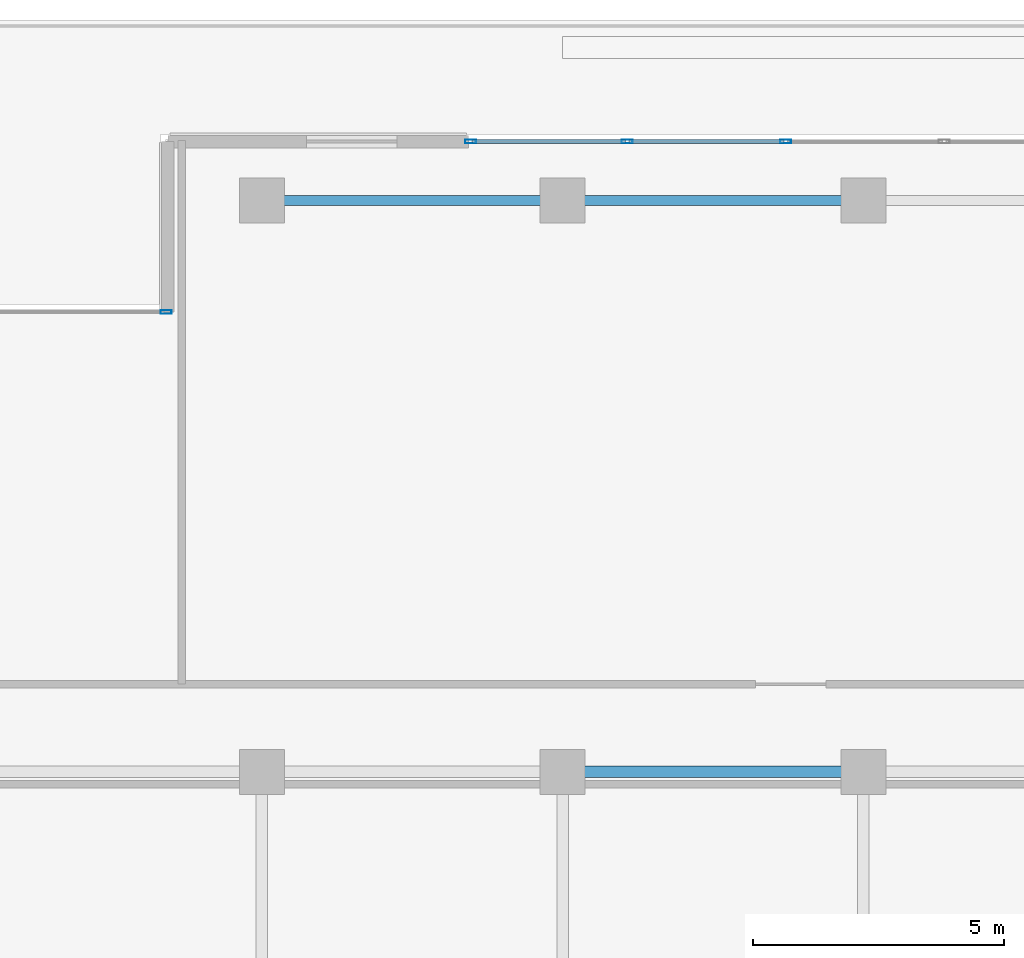
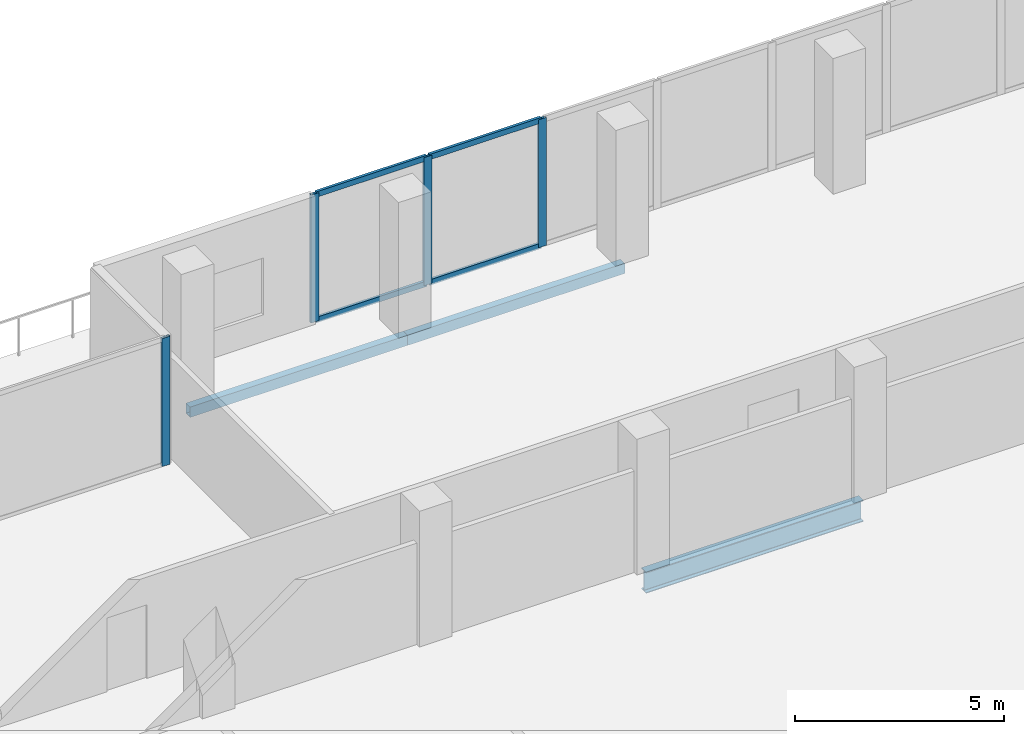
# One storey, part 12 of 30: 8 members, 3 beams, 2 elements without a shape of their own.
"""IFC4 building model written with IfcOpenShell, lengths in metres."""

import ifcopenshell
import ifcopenshell.guid

model = None  # the IFC model being written
_history = None  # IfcOwnerHistory: only IFC2X3 demands one
_inside = {}  # id of a spatial element -> (the spatial element, [elements in it])
_under = {}  # id of a project, library or spatial element -> (it, [spatial elements below it])
_declared = {}  # id of a project -> (the project, [libraries it declares])
_typed = {}  # id of a type object -> (the type object, [elements of that type])
_made_of = {}  # id of a material, layer set ... -> (it, [elements and type objects made of it])


def new_model(schema):
    """Start an empty IFC model of exactly this schema.

    Asked for "IFC4X3", IfcOpenShell would pick the latest addendum, in which some entities
    have other attributes; the version numbers below select the first issue.
    IFC2X3 requires an IfcOwnerHistory on every rooted entity: one is made here for all.
    """
    global model, _history
    if schema == "IFC4X3":
        model = ifcopenshell.file(schema_version=(4, 3, 0, 0))
    else:
        model = ifcopenshell.file(schema=schema)
    _inside.clear()
    _under.clear()
    _declared.clear()
    _typed.clear()
    _made_of.clear()
    _history = None
    if model.schema == "IFC2X3":
        org = make("IfcOrganization", Name="unknown")
        user = make(
            "IfcPersonAndOrganization",
            ThePerson=make("IfcPerson", FamilyName="unknown"),
            TheOrganization=org,
        )
        app = make(
            "IfcApplication",
            ApplicationDeveloper=org,
            Version="unknown",
            ApplicationFullName="unknown",
            ApplicationIdentifier="unknown",
        )
        _history = make(
            "IfcOwnerHistory",
            OwningUser=user,
            OwningApplication=app,
            ChangeAction="ADDED",
            CreationDate=0,
        )
    return model


def make(cls, **values):
    """One entity of the class cls with the attributes given. An attribute that is None is left unset."""
    return model.create_entity(
        cls, **{name: value for name, value in values.items() if value is not None}
    )


def rooted(cls, **values):
    """An entity with a GlobalId (a new one), such as an element, a storey or a relation."""
    return make(cls, GlobalId=ifcopenshell.guid.new(), OwnerHistory=_history, **values)


def si_unit(unit_type, name, prefix=None):
    """IfcSIUnit, for example si_unit("LENGTHUNIT", "METRE", prefix="MILLI")."""
    return make("IfcSIUnit", UnitType=unit_type, Prefix=prefix, Name=name)


def assignment(units):
    """IfcUnitAssignment: the units of a project."""
    return None if units is None else make("IfcUnitAssignment", Units=units)


def point(xyz):
    """IfcCartesianPoint."""
    return None if xyz is None else make("IfcCartesianPoint", Coordinates=xyz)


def direction(xyz):
    """IfcDirection."""
    return None if xyz is None else make("IfcDirection", DirectionRatios=xyz)


def frame(location, z_axis=None, x_axis=None):
    """IfcAxis2Placement3D, a coordinate frame: its origin and axes. An axis left out is left unset."""
    return make(
        "IfcAxis2Placement3D",
        Location=point(location),
        Axis=direction(z_axis),
        RefDirection=direction(x_axis),
    )


def frame_2d(location, x_axis=None):
    """IfcAxis2Placement2D, a coordinate frame in the plane: its origin and x axis."""
    return make(
        "IfcAxis2Placement2D", Location=point(location), RefDirection=direction(x_axis)
    )


def origin():
    """The frame at (0, 0, 0) with its axes left unset."""
    return frame((0.0, 0.0, 0.0))


def origin_2d():
    """The frame at (0, 0) in the plane with its x axis left unset."""
    return frame_2d((0.0, 0.0))


def place(relative_to, where):
    """IfcLocalPlacement: puts the frame where relative to a parent placement (None: the world)."""
    return make(
        "IfcLocalPlacement", PlacementRelTo=relative_to, RelativePlacement=where
    )


def context(
    kind, dimensions, precision=None, world=None, true_north=None, identifier=None
):
    """IfcGeometricRepresentationContext, for example the 3D "Model" context."""
    return make(
        "IfcGeometricRepresentationContext",
        ContextIdentifier=identifier,
        ContextType=kind,
        CoordinateSpaceDimension=dimensions,
        Precision=precision,
        WorldCoordinateSystem=world,
        TrueNorth=true_north,
    )


def subcontext(parent, identifier, kind, view, scale=None):
    """IfcGeometricRepresentationSubContext, for example "Body" below "Model"."""
    return make(
        "IfcGeometricRepresentationSubContext",
        ContextIdentifier=identifier,
        ContextType=kind,
        ParentContext=parent,
        TargetScale=scale,
        TargetView=view,
    )


def project(units=None, contexts=None):
    """IfcProject with its units and contexts."""
    return rooted(
        "IfcProject",
        Name="project",
        RepresentationContexts=contexts,
        UnitsInContext=assignment(units),
    )


def spatial(cls, under=None, at=None, **own):
    """A site, building, storey or space (cls), placed at a placement, below another one or the project."""
    s = rooted(cls, ObjectPlacement=at, **own)
    if under is not None:
        _under.setdefault(under.id(), (under, []))[1].append(s)
    return s


def profile(cls, at=None, kind="AREA", **sizes):
    """A parametric profile (cls). Its sizes go by their IFC names, for example OverallWidth=200.0."""
    return make(cls, ProfileType=kind, Position=at, **sizes)


def hollow_rectangle(**sizes):
    """IfcRectangleHollowProfileDef."""
    return profile("IfcRectangleHollowProfileDef", **sizes)


def i_section(**sizes):
    """IfcIShapeProfileDef."""
    return profile("IfcIShapeProfileDef", **sizes)


def extrude(swept, where, along, depth):
    """IfcExtrudedAreaSolid: the profile swept, set in the frame where, extruded along a direction by depth."""
    return make(
        "IfcExtrudedAreaSolid",
        SweptArea=swept,
        Position=where,
        ExtrudedDirection=direction(along),
        Depth=depth,
    )


def shape(context_of_items, identifier, shape_type, items):
    """IfcShapeRepresentation: the items that make up one representation, for example the "Body"."""
    return make(
        "IfcShapeRepresentation",
        ContextOfItems=context_of_items,
        RepresentationIdentifier=identifier,
        RepresentationType=shape_type,
        Items=items,
    )


def material(Name=None, Category=None):
    """IfcMaterial."""
    return make("IfcMaterial", Name=Name, Category=Category)


def layer(
    of_material, thickness, ventilated=None, Name=None, Category=None, Priority=None
):
    """IfcMaterialLayer: one layer of a wall or slab, of a material (None: an air gap)."""
    return make(
        "IfcMaterialLayer",
        Material=of_material,
        LayerThickness=thickness,
        IsVentilated=ventilated,
        Name=Name,
        Category=Category,
        Priority=Priority,
    )


def layer_set(layers, Name=None):
    """IfcMaterialLayerSet."""
    return make("IfcMaterialLayerSet", MaterialLayers=layers, LayerSetName=Name)


def material_profile(
    of_material, cross_section, Name=None, Category=None, Priority=None
):
    """IfcMaterialProfile: a cross section and its material."""
    return make(
        "IfcMaterialProfile",
        Name=Name,
        Material=of_material,
        Profile=cross_section,
        Priority=Priority,
        Category=Category,
    )


def profile_set(profiles, Name=None, composite=None):
    """IfcMaterialProfileSet."""
    return make(
        "IfcMaterialProfileSet",
        Name=Name,
        MaterialProfiles=profiles,
        CompositeProfile=composite,
    )


def made_of(thing, what):
    """Note that an element or type object is made of a material, layer set ...; save() writes the relation."""
    if what is not None:
        _made_of.setdefault(what.id(), (what, []))[1].append(thing)
    return thing


def type_object(cls, material=None, **own):
    """A type object (cls), such as IfcWallType, which elements share."""
    return made_of(rooted(cls, **own), material)


def element(
    cls,
    number,
    at=None,
    inside=None,
    cuts=None,
    type_object=None,
    material=None,
    context=None,
    identifier="Body",
    shape_type=None,
    held_by="IfcProductDefinitionShape",
    body=None,
    shapes=None,
    **own,
):
    """One element of the class cls, such as IfcWall. Its Tag is "e" and its number.

    at: its placement. inside: the storey or other place that contains it. cuts: it is an
    opening in that element (IfcRelVoidsElement). A single representation is given by context,
    identifier, shape_type and body (its items); several are given by shapes. held_by: the class
    of the entity that holds the representations. save() writes the other relations.
    """
    e = rooted(cls, Tag="e%d" % number, ObjectPlacement=at, **own)
    if body is not None:
        shapes = [shape(context, identifier, shape_type, body)]
    if shapes is not None:
        e.Representation = make(held_by, Representations=shapes)
    if inside is not None:
        _inside.setdefault(inside.id(), (inside, []))[1].append(e)
    if cuts is not None:
        rooted(
            "IfcRelVoidsElement", RelatingBuildingElement=cuts, RelatedOpeningElement=e
        )
    if type_object is not None:
        _typed.setdefault(type_object.id(), (type_object, []))[1].append(e)
    return made_of(e, material)


def aggregate(whole, parts):
    """IfcRelAggregates: a whole, such as a stair, and the parts it consists of."""
    return rooted("IfcRelAggregates", RelatingObject=whole, RelatedObjects=parts)


def save(model, path):
    """Write the relations noted so far, then the file.

    IfcRelAggregates (storeys below a building ...), IfcRelContainedInSpatialStructure (elements
    in a storey), IfcRelDefinesByType, IfcRelAssociatesMaterial and IfcRelDeclares: one each for
    every whole, place, type object, material and project.
    """
    for whole, parts in _under.values():
        aggregate(whole, parts)
    for where, things in _inside.values():
        rooted(
            "IfcRelContainedInSpatialStructure",
            RelatedElements=things,
            RelatingStructure=where,
        )
    for kind, things in _typed.values():
        rooted("IfcRelDefinesByType", RelatedObjects=things, RelatingType=kind)
    for what, things in _made_of.values():
        rooted("IfcRelAssociatesMaterial", RelatedObjects=things, RelatingMaterial=what)
    for by, libraries in _declared.values():
        rooted("IfcRelDeclares", RelatingContext=by, RelatedDefinitions=libraries)
    model.write(path)


model = new_model("IFC4")

# Units and contexts
model_context = context("Model", 3, precision=1e-05, world=origin(), true_north=direction((0.0, 1.0)))
body_context = subcontext(model_context, "Body", "Model", "MODEL_VIEW")
ifc_project = project(units=[si_unit("LENGTHUNIT", "METRE"), si_unit("AREAUNIT", "SQUARE_METRE"), si_unit("VOLUMEUNIT", "CUBIC_METRE"), si_unit("PLANEANGLEUNIT", "RADIAN"), si_unit("MASSUNIT", "GRAM", prefix="KILO")], contexts=[model_context])

# Site, building, storey
site_placement = place(None, origin())
site = spatial("IfcSite", under=ifc_project, at=site_placement, CompositionType="ELEMENT")
building_placement = place(site_placement, origin())
building = spatial("IfcBuilding", under=site, at=building_placement, Name="Tanjung Sevakor Pilgrim Tower", CompositionType="ELEMENT")
storey_placement = place(building_placement, frame((0.0, 0.0, 128.0400390625)))
storey = spatial("IfcBuildingStorey", under=building, at=storey_placement, Name="L35", CompositionType="ELEMENT", Elevation=128.0400390625)

# Beams
ifc_material_1 = material(Name="Steel S355J2", Category="steel")
ifc_material_profile_1 = material_profile(ifc_material_1, i_section(OverallWidth=0.230224609375, OverallDepth=0.6171875, WebThickness=0.01318359375, FlangeThickness=0.022216796875, FilletRadius=0.0126953125, at=origin_2d()))
ifc_profile_set_1 = profile_set([ifc_material_profile_1], Name="Steel S355J2")
beam_type_1 = type_object("IfcBeamType", Name="BM-B-G3-UB_610x229x140", PredefinedType="BEAM", material=ifc_profile_set_1)
beam_placement = place(storey_placement, frame((60.0, 42.60009765625, -0.588623046875), z_axis=(1.0, 0.0, 0.0), x_axis=(0.0, 1.0, 0.0)))
element("IfcBeam", 1, at=beam_placement, inside=storey, type_object=beam_type_1, Name="L35 Primary Floor Girder MAIN Y426-05", PredefinedType="BEAM", context=body_context, shape_type="SweptSolid", body=[
    extrude(i_section(OverallWidth=0.230224609375, OverallDepth=0.6171875, WebThickness=0.01318359375, FlangeThickness=0.022216796875, FilletRadius=0.0126953125, at=origin_2d()), origin(), (0.0, 0.0, 1.0), 6.0),
])
ifc_material_2 = material(Name="Steel S355J2", Category="steel")
ifc_material_profile_2 = material_profile(ifc_material_2, hollow_rectangle(XDim=0.199951171875, YDim=0.300048828125, WallThickness=0.012451171875, at=origin_2d()))
ifc_profile_set_2 = profile_set([ifc_material_profile_2], Name="Steel S355J2")
beam_type_2 = type_object("IfcBeamType", Name="BM-B-SP3-RHS_300x200x12.5", PredefinedType="SPANDREL", material=ifc_profile_set_2)
for number, where, z_axis, x_axis, name in (
    (2, (54.0, 54.0, -0.429931640625), (1.0, 0.0, 0.0), (0.0, 1.0, 0.0), "L35 Spandrel MAIN N-08"),
    (3, (60.0, 54.0, -0.429931640625), (1.0, 0.0, 0.0), (0.0, 1.0, 0.0), "L35 Spandrel MAIN N-10"),
):
    element("IfcBeam", number, at=place(storey_placement, frame(where, z_axis=z_axis, x_axis=x_axis)), inside=storey, type_object=beam_type_2, Name=name, PredefinedType="SPANDREL", context=body_context, shape_type="SweptSolid", body=[
        extrude(hollow_rectangle(XDim=0.199951171875, YDim=0.300048828125, WallThickness=0.012451171875, at=origin_2d()), origin(), (0.0, 0.0, 1.0), 6.0),
    ])

# Curtain wall, members
ifc_material_3 = material(Name="Aluminium 6063-T6 and Low-E Glass", Category="aluminium")
ifc_layer_1 = layer(ifc_material_3, 0.199951171875)
ifc_layer_set_1 = layer_set([ifc_layer_1], Name="CW-SYS-SKY")
curtain_wall_type_1 = type_object("IfcCurtainWallType", Name="CW-SYS-SKY", PredefinedType="NOTDEFINED", material=ifc_layer_set_1)
curtain_wall_1_placement = place(storey_placement, origin())
curtain_wall_1 = element("IfcCurtainWall", 4, at=curtain_wall_1_placement, inside=storey, type_object=curtain_wall_type_1, Name="L35 Curtain Wall CW-SKY-L35-N", PredefinedType="NOTDEFINED")
ifc_material_4 = material(Name="Aluminium 6063-T6", Category="aluminium")
ifc_material_profile_3 = material_profile(ifc_material_4, hollow_rectangle(XDim=0.074951171875, YDim=0.219970703125, WallThickness=0.0048828125, at=origin_2d()))
ifc_profile_set_3 = profile_set([ifc_material_profile_3], Name="Aluminium 6063-T6")
member_type_1 = type_object("IfcMemberType", Name="TYPE-CWM-2", PredefinedType="MULLION", material=ifc_profile_set_3)
member_1_placement = place(storey_placement, frame((64.44970703125, 55.175048828125, 0.0), z_axis=(0.0, 0.0, 1.0), x_axis=(0.0, -1.0, 0.0)))
member_1 = element("IfcMember", 5, at=member_1_placement, type_object=member_type_1, Name="CW-SKY mullion 9", PredefinedType="MULLION", context=body_context, shape_type="SweptSolid", body=[
    extrude(hollow_rectangle(XDim=0.074951171875, YDim=0.219970703125, WallThickness=0.0048828125, at=origin_2d()), origin(), (0.0, 0.0, 1.0), 3.739990234375),
])
member_2_placement = place(storey_placement, frame((61.287353515625, 55.175048828125, 0.0), z_axis=(0.0, 0.0, 1.0), x_axis=(0.0, -1.0, 0.0)))
member_2 = element("IfcMember", 6, at=member_2_placement, type_object=member_type_1, Name="CW-SKY mullion 10", PredefinedType="MULLION", context=body_context, shape_type="SweptSolid", body=[
    extrude(hollow_rectangle(XDim=0.074951171875, YDim=0.219970703125, WallThickness=0.0048828125, at=origin_2d()), origin(), (0.0, 0.0, 1.0), 3.739990234375),
])
member_3_placement = place(storey_placement, frame((58.16259765625, 55.175048828125, 0.0), z_axis=(0.0, 0.0, 1.0), x_axis=(0.0, -1.0, 0.0)))
member_3 = element("IfcMember", 7, at=member_3_placement, type_object=member_type_1, Name="CW-SKY mullion 11", PredefinedType="MULLION", context=body_context, shape_type="SweptSolid", body=[
    extrude(hollow_rectangle(XDim=0.074951171875, YDim=0.219970703125, WallThickness=0.0048828125, at=origin_2d()), origin(), (0.0, 0.0, 1.0), 3.739990234375),
])

# Curtain wall, member
ifc_material_5 = material(Name="Aluminium 6063-T6 and Low-E Glass", Category="aluminium")
ifc_layer_2 = layer(ifc_material_5, 0.179931640625)
ifc_layer_set_2 = layer_set([ifc_layer_2], Name="CW-SYS-CLEFT")
curtain_wall_type_2 = type_object("IfcCurtainWallType", Name="CW-SYS-CLEFT", PredefinedType="NOTDEFINED", material=ifc_layer_set_2)
curtain_wall_2_placement = place(storey_placement, origin())
curtain_wall_2 = element("IfcCurtainWall", 8, at=curtain_wall_2_placement, inside=storey, type_object=curtain_wall_type_2, Name="L35 Curtain Wall CW-CLF-L35-10", PredefinedType="NOTDEFINED")
member_4_placement = place(storey_placement, frame((52.08740234375, 51.77490234375, 0.0), z_axis=(0.0, 0.0, 1.0), x_axis=(0.0, -1.0, 0.0)))
member_4 = element("IfcMember", 9, at=member_4_placement, type_object=member_type_1, Name="CW-CLF mullion 1", PredefinedType="MULLION", context=body_context, shape_type="SweptSolid", body=[
    extrude(hollow_rectangle(XDim=0.074951171875, YDim=0.219970703125, WallThickness=0.0048828125, at=origin_2d()), origin(), (0.0, 0.0, 1.0), 3.739990234375),
])
aggregate(curtain_wall_2, [member_4])

# Member
ifc_material_6 = material(Name="Aluminium 6063-T6", Category="aluminium")
ifc_material_profile_4 = material_profile(ifc_material_6, hollow_rectangle(XDim=0.074951171875, YDim=0.159912109375, WallThickness=0.00439453125, at=origin_2d()))
ifc_profile_set_4 = profile_set([ifc_material_profile_4], Name="Aluminium 6063-T6")
member_type_2 = type_object("IfcMemberType", Name="TYPE-CWT-2", PredefinedType="USERDEFINED", material=ifc_profile_set_4)
member_5_placement = place(storey_placement, frame((64.412109375, 55.175048828125, 0.037353515625), z_axis=(-1.0, 0.0, 0.0), x_axis=(0.0, -1.0, 0.0)))
member_5 = element("IfcMember", 10, at=member_5_placement, type_object=member_type_2, Name="CW-SKY transom 9.1", ObjectType="TRANSOM", PredefinedType="USERDEFINED", context=body_context, shape_type="SweptSolid", body=[
    extrude(hollow_rectangle(XDim=0.074951171875, YDim=0.159912109375, WallThickness=0.00439453125, at=origin_2d()), origin(), (0.0, 0.0, 1.0), 3.08740234375),
])

member_6_placement = place(storey_placement, frame((64.412109375, 55.175048828125, 3.702392578125), z_axis=(-1.0, 0.0, 0.0), x_axis=(0.0, -1.0, 0.0)))
member_6 = element("IfcMember", 11, at=member_6_placement, type_object=member_type_2, Name="CW-SKY transom 9.2", ObjectType="TRANSOM", PredefinedType="USERDEFINED", context=body_context, shape_type="SweptSolid", body=[
    extrude(hollow_rectangle(XDim=0.074951171875, YDim=0.159912109375, WallThickness=0.00439453125, at=origin_2d()), origin(), (0.0, 0.0, 1.0), 3.08740234375),
])

member_7_placement = place(storey_placement, frame((61.249755859375, 55.175048828125, 0.037353515625), z_axis=(-1.0, 0.0, 0.0), x_axis=(0.0, -1.0, 0.0)))
member_7 = element("IfcMember", 12, at=member_7_placement, type_object=member_type_2, Name="CW-SKY transom 10.1", ObjectType="TRANSOM", PredefinedType="USERDEFINED", context=body_context, shape_type="SweptSolid", body=[
    extrude(hollow_rectangle(XDim=0.074951171875, YDim=0.159912109375, WallThickness=0.00439453125, at=origin_2d()), origin(), (0.0, 0.0, 1.0), 3.0498046875),
])

member_8_placement = place(storey_placement, frame((61.249755859375, 55.175048828125, 3.702392578125), z_axis=(-1.0, 0.0, 0.0), x_axis=(0.0, -1.0, 0.0)))
member_8 = element("IfcMember", 13, at=member_8_placement, type_object=member_type_2, Name="CW-SKY transom 10.2", ObjectType="TRANSOM", PredefinedType="USERDEFINED", context=body_context, shape_type="SweptSolid", body=[
    extrude(hollow_rectangle(XDim=0.074951171875, YDim=0.159912109375, WallThickness=0.00439453125, at=origin_2d()), origin(), (0.0, 0.0, 1.0), 3.0498046875),
])

aggregate(curtain_wall_1, [member_1, member_2, member_3, member_5, member_6, member_7, member_8])

save(model, "model.ifc")
